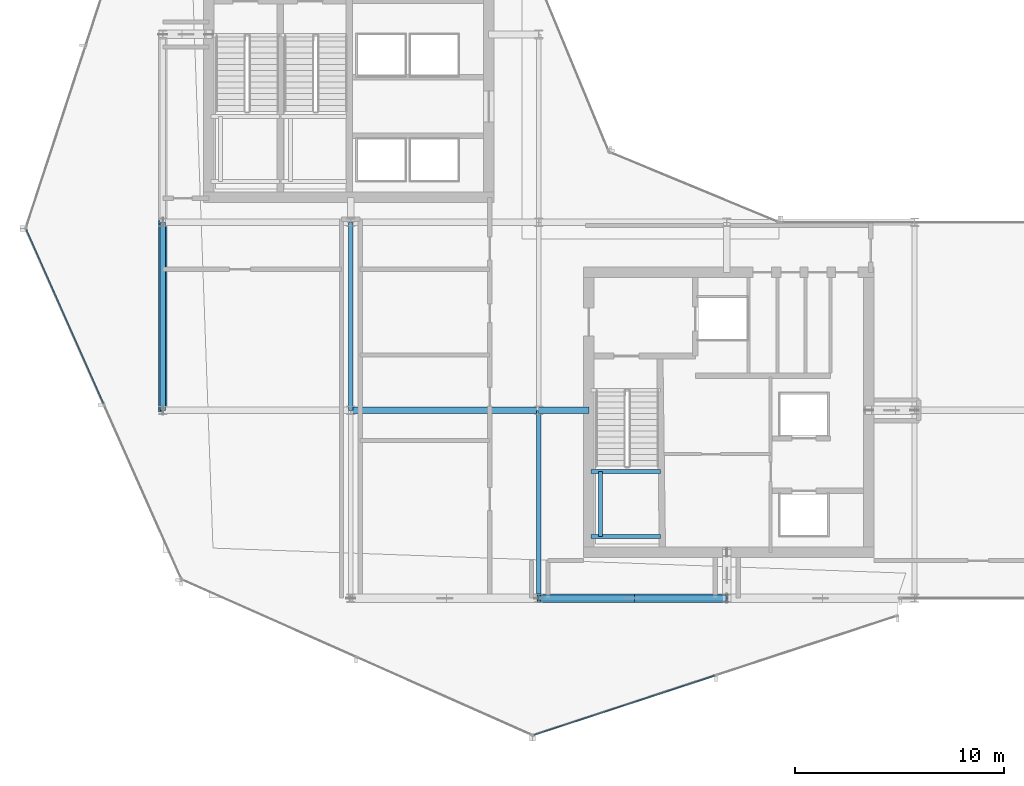
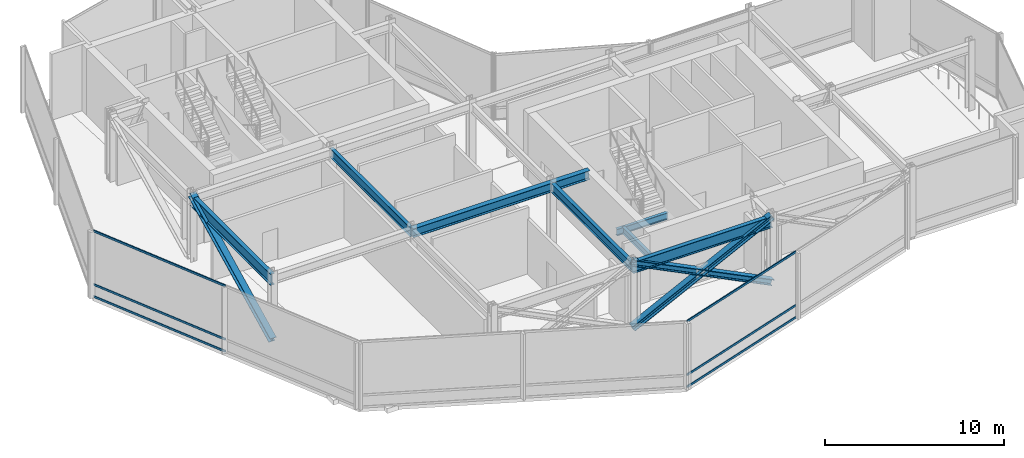
# One storey, part 5 of 30: 10 members, 9 beams, 2 elements without a shape of their own.
"""IFC4 building model written with IfcOpenShell, lengths in metres."""

from ifc_helpers import new_model, si_unit, direction, frame, origin, origin_2d, place, context, subcontext, project, spatial, hollow_rectangle, i_section, extrude, material, layer, layer_set, material_profile, profile_set, type_object, element, aggregate, save


model = new_model("IFC4")

# Units and contexts
model_context = context("Model", 3, precision=1e-05, world=origin(), true_north=direction((0.0, 1.0)))
body_context = subcontext(model_context, "Body", "Model", "MODEL_VIEW")
ifc_project = project(units=[si_unit("LENGTHUNIT", "METRE"), si_unit("AREAUNIT", "SQUARE_METRE"), si_unit("VOLUMEUNIT", "CUBIC_METRE"), si_unit("PLANEANGLEUNIT", "RADIAN"), si_unit("MASSUNIT", "GRAM", prefix="KILO")], contexts=[model_context])

# Site, building, storey
site_placement = place(None, origin())
site = spatial("IfcSite", under=ifc_project, at=site_placement, CompositionType="ELEMENT")
building_placement = place(site_placement, origin())
building = spatial("IfcBuilding", under=site, at=building_placement, Name="Solvaryn Broadcast Tower", CompositionType="ELEMENT")
storey_placement = place(building_placement, frame((0.0, 0.0, 196.39990234375)))
storey = spatial("IfcBuildingStorey", under=building, at=storey_placement, Name="L49", CompositionType="ELEMENT", Elevation=196.39990234375)

# Beams
ifc_material_1 = material(Name="Steel ASTM A992 Grade 50", Category="steel")
ifc_material_profile_1 = material_profile(ifc_material_1, i_section(OverallWidth=0.323974609375, OverallDepth=0.611083984375, WebThickness=0.0126953125, FlangeThickness=0.01904296875, FilletRadius=0.014892578125, at=origin_2d()))
ifc_profile_set_1 = profile_set([ifc_material_profile_1], Name="Steel ASTM A992 Grade 50")
beam_type_1 = type_object("IfcBeamType", Name="BM-B1-W24X104", PredefinedType="BEAM", material=ifc_profile_set_1)
beam_1_placement = place(storey_placement, frame((18.0, 18.0, 4.214599609375), z_axis=(1.0, 0.0, 0.0), x_axis=(0.0, 1.0, 0.0)))
element("IfcBeam", 1, at=beam_1_placement, inside=storey, type_object=beam_type_1, Name="L49 Primary Beam X (18-27 @ Y=18)", PredefinedType="BEAM", context=body_context, shape_type="SweptSolid", body=[
    extrude(i_section(OverallWidth=0.323974609375, OverallDepth=0.611083984375, WebThickness=0.0126953125, FlangeThickness=0.01904296875, FilletRadius=0.014892578125, at=origin_2d()), origin(), (0.0, 0.0, 1.0), 9.0),
])
beam_2_placement = place(storey_placement, frame((27.0, 18.0, 4.214599609375), z_axis=(1.0, 0.0, 0.0), x_axis=(0.0, 1.0, 0.0)))
element("IfcBeam", 2, at=beam_2_placement, inside=storey, type_object=beam_type_1, Name="L49 Core Tie Beam CTE4", PredefinedType="BEAM", context=body_context, shape_type="SweptSolid", body=[
    extrude(i_section(OverallWidth=0.323974609375, OverallDepth=0.611083984375, WebThickness=0.0126953125, FlangeThickness=0.01904296875, FilletRadius=0.014892578125, at=origin_2d()), origin(), (0.0, 0.0, 1.0), 2.39990234375),
])
ifc_material_2 = material(Name="Steel ASTM A992 Grade 50", Category="steel")
ifc_material_profile_2 = material_profile(ifc_material_2, i_section(OverallWidth=0.22802734375, OverallDepth=0.60791015625, WebThickness=0.01123046875, FlangeThickness=0.017333984375, FilletRadius=0.014892578125, at=origin_2d()))
ifc_profile_set_2 = profile_set([ifc_material_profile_2], Name="Steel ASTM A992 Grade 50")
beam_type_2 = type_object("IfcBeamType", Name="BM-B2-W24X76", PredefinedType="BEAM", material=ifc_profile_set_2)
for number, where, z_axis, x_axis, name in (
    (3, (18.0, 18.0, 4.216064453125), (0.0, 1.0, 0.0), (-1.0, 0.0, 0.0), "L49 Primary Beam Y (18-27 @ X=18)"),
    (4, (27.0, 9.0, 4.216064453125), (0.0, 1.0, 0.0), (-1.0, 0.0, 0.0), "L49 Primary Beam Y (9-18 @ X=27)"),
):
    element("IfcBeam", number, at=place(storey_placement, frame(where, z_axis=z_axis, x_axis=x_axis)), inside=storey, type_object=beam_type_2, Name=name, PredefinedType="BEAM", context=body_context, shape_type="SweptSolid", body=[
        extrude(i_section(OverallWidth=0.22802734375, OverallDepth=0.60791015625, WebThickness=0.01123046875, FlangeThickness=0.017333984375, FilletRadius=0.014892578125, at=origin_2d()), origin(), (0.0, 0.0, 1.0), 9.0),
    ])
ifc_material_3 = material(Name="Steel ASTM A992 Grade 50", Category="steel")
ifc_material_profile_3 = material_profile(ifc_material_3, i_section(OverallWidth=0.18994140625, OverallDepth=0.45703125, WebThickness=0.009033203125, FlangeThickness=0.014404296875, FilletRadius=0.011962890625, at=origin_2d()))
ifc_profile_set_3 = profile_set([ifc_material_profile_3], Name="Steel ASTM A992 Grade 50")
beam_type_3 = type_object("IfcBeamType", Name="BM-B4-W18X50", PredefinedType="BEAM", material=ifc_profile_set_3)
for number, where, z_axis, x_axis, name in (
    (5, (29.5, 11.949951171875, 1.9716796875), (1.0, 0.0, 0.0), (0.0, 1.0, 0.0), "L49 ST3 Landing Support Beam 1A"),
    (6, (29.5, 15.070068359375, 1.9716796875), (1.0, 0.0, 0.0), (0.0, 1.0, 0.0), "L49 ST3 Landing Support Beam 1B"),
):
    element("IfcBeam", number, at=place(storey_placement, frame(where, z_axis=z_axis, x_axis=x_axis)), inside=storey, type_object=beam_type_3, Name=name, PredefinedType="BEAM", context=body_context, shape_type="SweptSolid", body=[
        extrude(i_section(OverallWidth=0.18994140625, OverallDepth=0.45703125, WebThickness=0.009033203125, FlangeThickness=0.014404296875, FilletRadius=0.011962890625, at=origin_2d()), origin(), (0.0, 0.0, 1.0), 3.320068359375),
    ])
beam_3_placement = place(storey_placement, frame((29.949951171875, 11.949951171875, 1.9716796875), z_axis=(0.0, 1.0, 0.0), x_axis=(-1.0, 0.0, 0.0)))
element("IfcBeam", 7, at=beam_3_placement, inside=storey, type_object=beam_type_3, Name="L49 ST3 Landing Cross Stringer 1C", PredefinedType="BEAM", context=body_context, shape_type="SweptSolid", body=[
    extrude(i_section(OverallWidth=0.18994140625, OverallDepth=0.45703125, WebThickness=0.009033203125, FlangeThickness=0.014404296875, FilletRadius=0.011962890625, at=origin_2d()), origin(), (0.0, 0.0, 1.0), 3.1201171875),
])
ifc_material_4 = material(Name="Steel ASTM A992 Grade 50", Category="steel")
ifc_material_profile_4 = material_profile(ifc_material_4, i_section(OverallWidth=0.26708984375, OverallDepth=0.76611328125, WebThickness=0.014892578125, FlangeThickness=0.023681640625, FilletRadius=0.01806640625, at=origin_2d()))
ifc_profile_set_4 = profile_set([ifc_material_profile_4], Name="Steel ASTM A992 Grade 50")
beam_type_4 = type_object("IfcBeamType", Name="BM-SP2-W30X124", PredefinedType="USERDEFINED", material=ifc_profile_set_4)
for number, where, z_axis, x_axis, name in (
    (8, (27.0, 9.0, 4.13720703125), (1.0, 0.0, 0.0), (0.0, 1.0, 0.0), "L49 Spandrel Beam X (27-36 @ Y=9)"),
    (9, (9.0, 18.0, 4.13720703125), (0.0, 1.0, 0.0), (-1.0, 0.0, 0.0), "L49 Spandrel Beam Y (18-27 @ X=9)"),
):
    element("IfcBeam", number, at=place(storey_placement, frame(where, z_axis=z_axis, x_axis=x_axis)), inside=storey, type_object=beam_type_4, Name=name, ObjectType="SPANDREL", PredefinedType="USERDEFINED", context=body_context, shape_type="SweptSolid", body=[
        extrude(i_section(OverallWidth=0.26708984375, OverallDepth=0.76611328125, WebThickness=0.014892578125, FlangeThickness=0.023681640625, FilletRadius=0.01806640625, at=origin_2d()), origin(), (0.0, 0.0, 1.0), 9.0),
    ])

# Curtain wall, members
ifc_material_5 = material(Name="Aluminium and Terracotta Unitised Curtain Wall", Category="masonry")
ifc_layer = layer(ifc_material_5, 0.199951171875)
ifc_layer_set = layer_set([ifc_layer], Name="CW-SYS2-LOWMID")
curtain_wall_type = type_object("IfcCurtainWallType", Name="CW-SYS2-LOWMID", PredefinedType="NOTDEFINED", material=ifc_layer_set)
curtain_wall_1_placement = place(storey_placement, origin())
curtain_wall_1 = element("IfcCurtainWall", 10, at=curtain_wall_1_placement, inside=storey, type_object=curtain_wall_type, Name="L49 Curtain Wall DR2", PredefinedType="NOTDEFINED")
ifc_material_6 = material(Name="Anodised Aluminium 6063-T6", Category="aluminium")
ifc_material_profile_5 = material_profile(ifc_material_6, hollow_rectangle(XDim=0.06494140625, YDim=0.14990234375, WallThickness=0.00390625, InnerFilletRadius=0.00390625, OuterFilletRadius=0.008056640625, at=origin_2d()))
ifc_profile_set_5 = profile_set([ifc_material_profile_5], Name="Anodised Aluminium 6063-T6")
member_type_1 = type_object("IfcMemberType", Name="CW-TRN-150", PredefinedType="USERDEFINED", material=ifc_profile_set_5)
member_1_placement = place(storey_placement, frame((2.457275390625, 26.651123046875, 0.030029296875), z_axis=(0.405907095752, -0.913914344793, 0.0), x_axis=(0.913914344793, 0.405907095752, 0.0)))
member_1 = element("IfcMember", 11, at=member_1_placement, type_object=member_type_1, Name="CWS2 transom 1.1", ObjectType="TRANSOM", PredefinedType="USERDEFINED", context=body_context, shape_type="SweptSolid", body=[
    extrude(hollow_rectangle(XDim=0.06494140625, YDim=0.14990234375, WallThickness=0.00390625, InnerFilletRadius=0.00390625, OuterFilletRadius=0.008056640625, at=origin_2d()), origin(), (0.0, 0.0, 1.0), 9.105712890625),
])
member_2_placement = place(storey_placement, frame((2.457275390625, 26.651123046875, 0.85009765625), z_axis=(0.405907095752, -0.913914344793, 0.0), x_axis=(0.913914344793, 0.405907095752, 0.0)))
member_2 = element("IfcMember", 12, at=member_2_placement, type_object=member_type_1, Name="CWS2 transom 1.2", ObjectType="TRANSOM", PredefinedType="USERDEFINED", context=body_context, shape_type="SweptSolid", body=[
    extrude(hollow_rectangle(XDim=0.06494140625, YDim=0.14990234375, WallThickness=0.00390625, InnerFilletRadius=0.00390625, OuterFilletRadius=0.008056640625, at=origin_2d()), origin(), (0.0, 0.0, 1.0), 9.105712890625),
])
member_3_placement = place(storey_placement, frame((2.457275390625, 26.651123046875, 4.489990234375), z_axis=(0.405907095752, -0.913914344793, 0.0), x_axis=(0.913914344793, 0.405907095752, 0.0)))
member_3 = element("IfcMember", 13, at=member_3_placement, type_object=member_type_1, Name="CWS2 transom 1.3", ObjectType="TRANSOM", PredefinedType="USERDEFINED", context=body_context, shape_type="SweptSolid", body=[
    extrude(hollow_rectangle(XDim=0.06494140625, YDim=0.14990234375, WallThickness=0.00390625, InnerFilletRadius=0.00390625, OuterFilletRadius=0.008056640625, at=origin_2d()), origin(), (0.0, 0.0, 1.0), 9.105712890625),
])
aggregate(curtain_wall_1, [member_1, member_2, member_3])

curtain_wall_2_placement = place(storey_placement, origin())
curtain_wall_2 = element("IfcCurtainWall", 14, at=curtain_wall_2_placement, inside=storey, type_object=curtain_wall_type, Name="L49 Curtain Wall DR4", PredefinedType="NOTDEFINED")
member_4_placement = place(storey_placement, frame((26.762939453125, 2.45166015625, 0.030029296875), z_axis=(0.950229540973, 0.311550669172, 0.0), x_axis=(-0.311550669172, 0.950229540973, 0.0)))
member_4 = element("IfcMember", 15, at=member_4_placement, type_object=member_type_1, Name="CWS2 transom 1.1", ObjectType="TRANSOM", PredefinedType="USERDEFINED", context=body_context, shape_type="SweptSolid", body=[
    extrude(hollow_rectangle(XDim=0.06494140625, YDim=0.14990234375, WallThickness=0.00390625, InnerFilletRadius=0.00390625, OuterFilletRadius=0.008056640625, at=origin_2d()), origin(), (0.0, 0.0, 1.0), 9.105712890625),
])
member_5_placement = place(storey_placement, frame((26.762939453125, 2.45166015625, 0.85009765625), z_axis=(0.950229540973, 0.311550669172, 0.0), x_axis=(-0.311550669172, 0.950229540973, 0.0)))
member_5 = element("IfcMember", 16, at=member_5_placement, type_object=member_type_1, Name="CWS2 transom 1.2", ObjectType="TRANSOM", PredefinedType="USERDEFINED", context=body_context, shape_type="SweptSolid", body=[
    extrude(hollow_rectangle(XDim=0.06494140625, YDim=0.14990234375, WallThickness=0.00390625, InnerFilletRadius=0.00390625, OuterFilletRadius=0.008056640625, at=origin_2d()), origin(), (0.0, 0.0, 1.0), 9.105712890625),
])
member_6_placement = place(storey_placement, frame((26.762939453125, 2.45166015625, 4.489990234375), z_axis=(0.950229540973, 0.311550669172, 0.0), x_axis=(-0.311550669172, 0.950229540973, 0.0)))
member_6 = element("IfcMember", 17, at=member_6_placement, type_object=member_type_1, Name="CWS2 transom 1.3", ObjectType="TRANSOM", PredefinedType="USERDEFINED", context=body_context, shape_type="SweptSolid", body=[
    extrude(hollow_rectangle(XDim=0.06494140625, YDim=0.14990234375, WallThickness=0.00390625, InnerFilletRadius=0.00390625, OuterFilletRadius=0.008056640625, at=origin_2d()), origin(), (0.0, 0.0, 1.0), 9.105712890625),
])
aggregate(curtain_wall_2, [member_4, member_5, member_6])

# Members
ifc_material_7 = material(Name="Steel ASTM A913 Grade 65", Category="steel")
ifc_material_profile_6 = material_profile(ifc_material_7, i_section(OverallWidth=0.39697265625, OverallDepth=0.386962890625, WebThickness=0.02099609375, FlangeThickness=0.033203125, FilletRadius=0.014892578125, at=origin_2d()))
ifc_profile_set_6 = profile_set([ifc_material_profile_6], Name="Steel ASTM A913 Grade 65")
member_type_2 = type_object("IfcMemberType", Name="MB-BELT-2", PredefinedType="BRACE", material=ifc_profile_set_6)
member_7_placement = place(storey_placement, frame((27.0, 9.0, 0.02001953125), z_axis=(0.895222302563, 0.0, 0.44561982563), x_axis=(0.0, 1.0, 0.0)))
element("IfcMember", 18, at=member_7_placement, inside=storey, type_object=member_type_2, Name="L49 South Belt X-Brace 4 Continuous Diagonal", PredefinedType="BRACE", context=body_context, shape_type="SweptSolid", body=[
    extrude(i_section(OverallWidth=0.39697265625, OverallDepth=0.386962890625, WebThickness=0.02099609375, FlangeThickness=0.033203125, FilletRadius=0.014892578125, at=origin_2d()), origin(), (0.0, 0.0, 1.0), 10.053466796875),
])
for number, where, z_axis, x_axis, name in (
    (19, (36.0, 9.0, 0.02001953125), (-0.895222302563, 0.0, 0.44561982563), (0.0, -1.0, 0.0), "L49 South Belt X-Brace 4 Split Diagonal Lower"),
    (20, (31.5, 9.0, 2.260009765625), (-0.895222302563, 0.0, 0.44561982563), (0.0, -1.0, 0.0), "L49 South Belt X-Brace 4 Split Diagonal Upper"),
):
    element("IfcMember", number, at=place(storey_placement, frame(where, z_axis=z_axis, x_axis=x_axis)), inside=storey, type_object=member_type_2, Name=name, PredefinedType="BRACE", context=body_context, shape_type="SweptSolid", body=[
        extrude(i_section(OverallWidth=0.39697265625, OverallDepth=0.386962890625, WebThickness=0.02099609375, FlangeThickness=0.033203125, FilletRadius=0.014892578125, at=origin_2d()), origin(), (0.0, 0.0, 1.0), 5.026611328125),
    ])
member_8_placement = place(storey_placement, frame((9.0, 18.0, 0.02001953125), z_axis=(0.0, 0.895222302563, 0.44561982563), x_axis=(-1.0, 0.0, 0.0)))
element("IfcMember", 21, at=member_8_placement, inside=storey, type_object=member_type_2, Name="L49 West Belt Diagonal 3", PredefinedType="BRACE", context=body_context, shape_type="SweptSolid", body=[
    extrude(i_section(OverallWidth=0.39697265625, OverallDepth=0.386962890625, WebThickness=0.02099609375, FlangeThickness=0.033203125, FilletRadius=0.014892578125, at=origin_2d()), origin(), (0.0, 0.0, 1.0), 10.053466796875),
])

save(model, "model.ifc")
